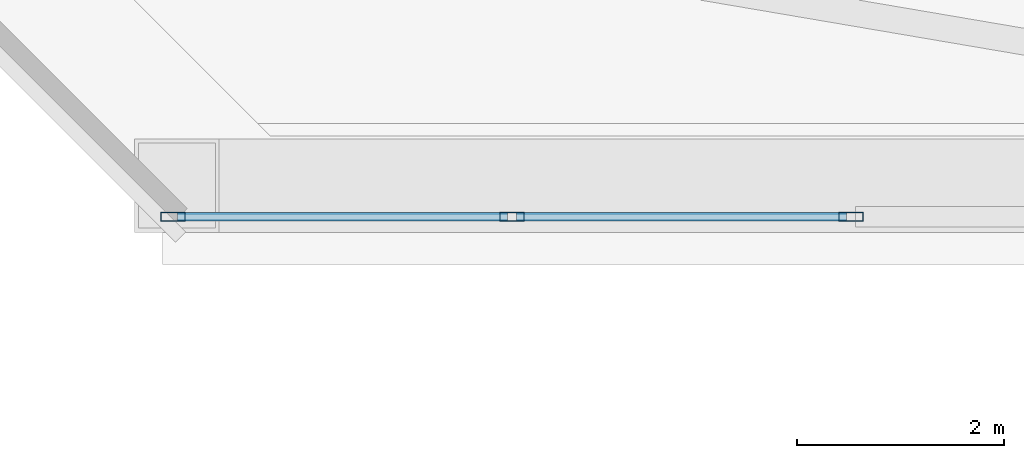
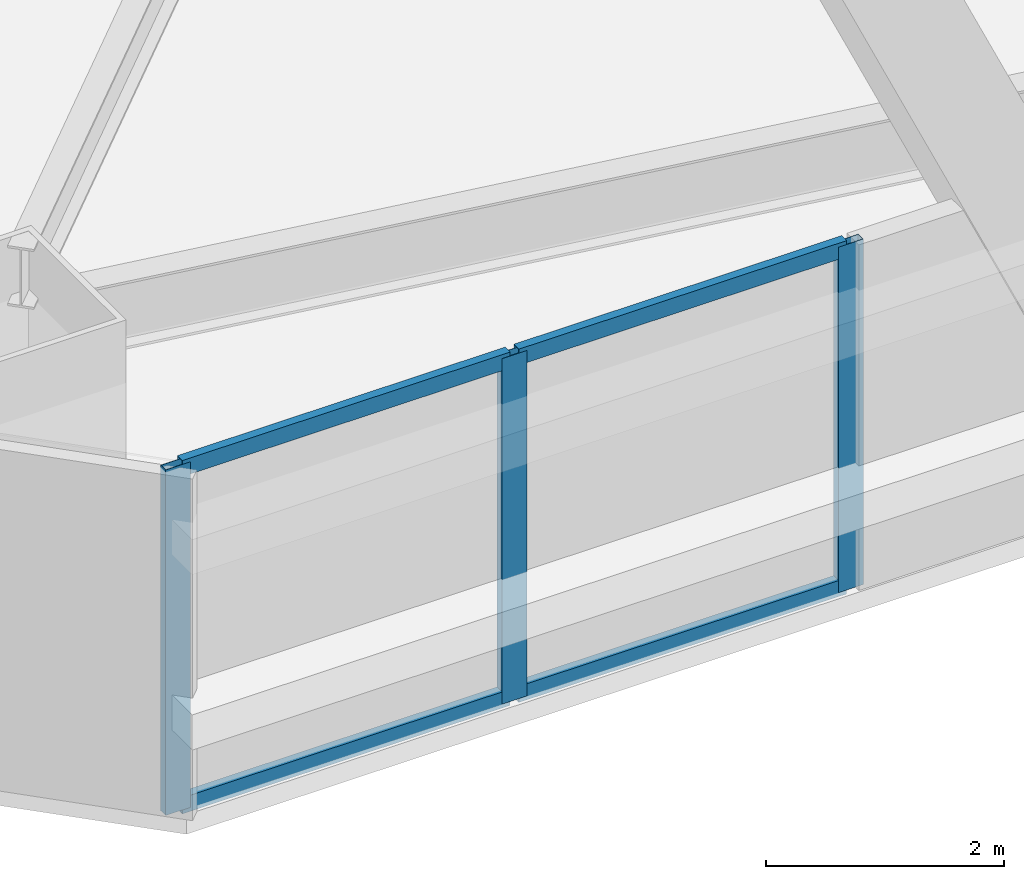
# One storey, part 3 of 75: 7 members, 1 element without a shape of its own.
"""IFC4 building model written with IfcOpenShell, lengths in metres."""

from ifc_helpers import new_model, si_unit, direction, frame, origin, origin_2d, place, context, subcontext, project, spatial, hollow_rectangle, extrude, material, material_profile, profile_set, type_object, element, aggregate, save


model = new_model("IFC4")

# Units and contexts
model_context = context("Model", 3, precision=1e-05, world=origin(), true_north=direction((0.0, 1.0)))
body_context = subcontext(model_context, "Body", "Model", "MODEL_VIEW")
ifc_project = project(units=[si_unit("LENGTHUNIT", "METRE"), si_unit("AREAUNIT", "SQUARE_METRE"), si_unit("VOLUMEUNIT", "CUBIC_METRE"), si_unit("PLANEANGLEUNIT", "RADIAN"), si_unit("MASSUNIT", "GRAM", prefix="KILO")], contexts=[model_context])

# Site, building, storey
site_placement = place(None, origin())
site = spatial("IfcSite", under=ifc_project, at=site_placement, CompositionType="ELEMENT")
building_placement = place(site_placement, origin())
building = spatial("IfcBuilding", under=site, at=building_placement, Name="Tashvorn Skyway Center", CompositionType="ELEMENT")
storey_placement = place(building_placement, frame((0.0, 0.0, 45.89990234375)))
storey = spatial("IfcBuildingStorey", under=building, at=storey_placement, Name="L11", CompositionType="ELEMENT", Elevation=45.89990234375)

# Curtain wall, members
ifc_material = material(Name="Thermally broken bronze-anodized aluminium 6063-T6", Category="aluminium")
curtain_wall_type = type_object("IfcCurtainWallType", Name="CW-CW-Z1", PredefinedType="NOTDEFINED", material=ifc_material)
curtain_wall_placement = place(storey_placement, origin())
curtain_wall = element("IfcCurtainWall", 1, at=curtain_wall_placement, inside=storey, type_object=curtain_wall_type, Name="Tower 1 L11 South Unitised Curtain Wall Glazing Group 3", PredefinedType="NOTDEFINED")
ifc_material_profile_1 = material_profile(ifc_material, hollow_rectangle(XDim=0.0849609375, YDim=0.239990234375, WallThickness=0.0048828125, at=origin_2d()), Name="ALU-MULL-85x240")
ifc_profile_set_1 = profile_set([ifc_material_profile_1], Name="Thermally broken bronze-anodized aluminium 6063-T6")
member_type_1 = type_object("IfcMemberType", Name="CWM-CW-Z1", PredefinedType="MULLION", material=ifc_profile_set_1)
member_1_placement = place(storey_placement, frame((28.7041015625, 9.1201171875, 0.0), z_axis=(0.0, 0.0, 1.0), x_axis=(0.0, -1.0, 0.0)))
member_1 = element("IfcMember", 2, at=member_1_placement, type_object=member_type_1, Name="CW-Z1 mullion 1", PredefinedType="MULLION", context=body_context, shape_type="SweptSolid", body=[
    extrude(hollow_rectangle(XDim=0.0849609375, YDim=0.239990234375, WallThickness=0.0048828125, at=origin_2d()), origin(), (0.0, 0.0, 1.0), 3.550048828125),
])
member_2_placement = place(storey_placement, frame((25.433349609375, 9.1201171875, 0.0), z_axis=(0.0, 0.0, 1.0), x_axis=(0.0, -1.0, 0.0)))
member_2 = element("IfcMember", 3, at=member_2_placement, type_object=member_type_1, Name="CW-Z1 mullion 2", PredefinedType="MULLION", context=body_context, shape_type="SweptSolid", body=[
    extrude(hollow_rectangle(XDim=0.0849609375, YDim=0.239990234375, WallThickness=0.0048828125, at=origin_2d()), origin(), (0.0, 0.0, 1.0), 3.550048828125),
])
member_3_placement = place(storey_placement, frame((22.16259765625, 9.1201171875, 0.0), z_axis=(0.0, 0.0, 1.0), x_axis=(0.0, -1.0, 0.0)))
member_3 = element("IfcMember", 4, at=member_3_placement, type_object=member_type_1, Name="CW-Z1 mullion 3", PredefinedType="MULLION", context=body_context, shape_type="SweptSolid", body=[
    extrude(hollow_rectangle(XDim=0.0849609375, YDim=0.239990234375, WallThickness=0.0048828125, at=origin_2d()), origin(), (0.0, 0.0, 1.0), 3.550048828125),
])
ifc_material_profile_2 = material_profile(ifc_material, hollow_rectangle(XDim=0.0849609375, YDim=0.1650390625, WallThickness=0.0048828125, at=origin_2d()), Name="ALU-TRAN-85x165")
ifc_profile_set_2 = profile_set([ifc_material_profile_2], Name="Thermally broken bronze-anodized aluminium 6063-T6")
member_type_2 = type_object("IfcMemberType", Name="CWT-CW-Z1", PredefinedType="USERDEFINED", material=ifc_profile_set_2)
member_4_placement = place(storey_placement, frame((28.66162109375, 9.1201171875, 0.04248046875), z_axis=(-1.0, 0.0, 0.0), x_axis=(0.0, -1.0, 0.0)))
member_4 = element("IfcMember", 5, at=member_4_placement, type_object=member_type_2, Name="CW-Z1 transom 1.1", ObjectType="TRANSOM", PredefinedType="USERDEFINED", context=body_context, shape_type="SweptSolid", body=[
    extrude(hollow_rectangle(XDim=0.0849609375, YDim=0.1650390625, WallThickness=0.0048828125, at=origin_2d()), origin(), (0.0, 0.0, 1.0), 3.185791015625),
])
member_5_placement = place(storey_placement, frame((28.66162109375, 9.1201171875, 3.507568359375), z_axis=(-1.0, 0.0, 0.0), x_axis=(0.0, -1.0, 0.0)))
member_5 = element("IfcMember", 6, at=member_5_placement, type_object=member_type_2, Name="CW-Z1 transom 1.2", ObjectType="TRANSOM", PredefinedType="USERDEFINED", context=body_context, shape_type="SweptSolid", body=[
    extrude(hollow_rectangle(XDim=0.0849609375, YDim=0.1650390625, WallThickness=0.0048828125, at=origin_2d()), origin(), (0.0, 0.0, 1.0), 3.185791015625),
])
member_6_placement = place(storey_placement, frame((25.390869140625, 9.1201171875, 0.04248046875), z_axis=(-1.0, 0.0, 0.0), x_axis=(0.0, -1.0, 0.0)))
member_6 = element("IfcMember", 7, at=member_6_placement, type_object=member_type_2, Name="CW-Z1 transom 2.1", ObjectType="TRANSOM", PredefinedType="USERDEFINED", context=body_context, shape_type="SweptSolid", body=[
    extrude(hollow_rectangle(XDim=0.0849609375, YDim=0.1650390625, WallThickness=0.0048828125, at=origin_2d()), origin(), (0.0, 0.0, 1.0), 3.185791015625),
])
member_7_placement = place(storey_placement, frame((25.390869140625, 9.1201171875, 3.507568359375), z_axis=(-1.0, 0.0, 0.0), x_axis=(0.0, -1.0, 0.0)))
member_7 = element("IfcMember", 8, at=member_7_placement, type_object=member_type_2, Name="CW-Z1 transom 2.2", ObjectType="TRANSOM", PredefinedType="USERDEFINED", context=body_context, shape_type="SweptSolid", body=[
    extrude(hollow_rectangle(XDim=0.0849609375, YDim=0.1650390625, WallThickness=0.0048828125, at=origin_2d()), origin(), (0.0, 0.0, 1.0), 3.185791015625),
])
aggregate(curtain_wall, [member_1, member_2, member_3, member_4, member_5, member_6, member_7])

save(model, "model.ifc")
